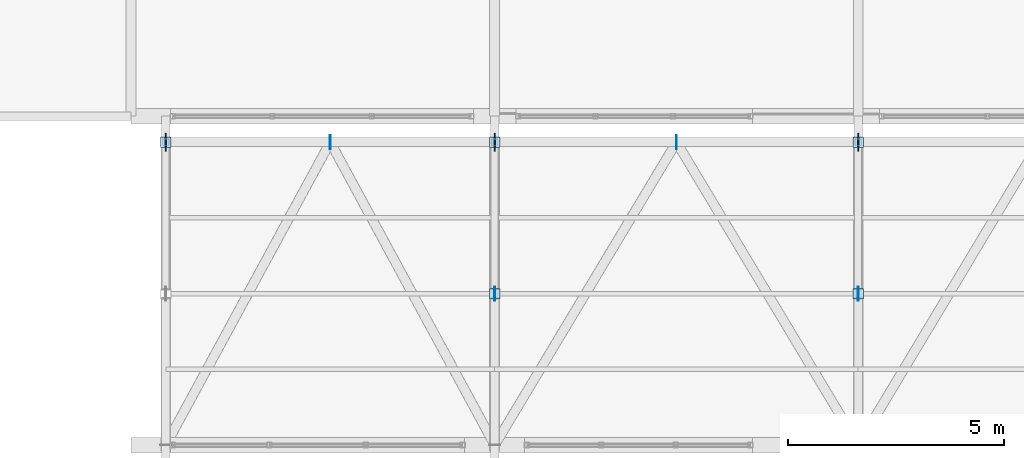
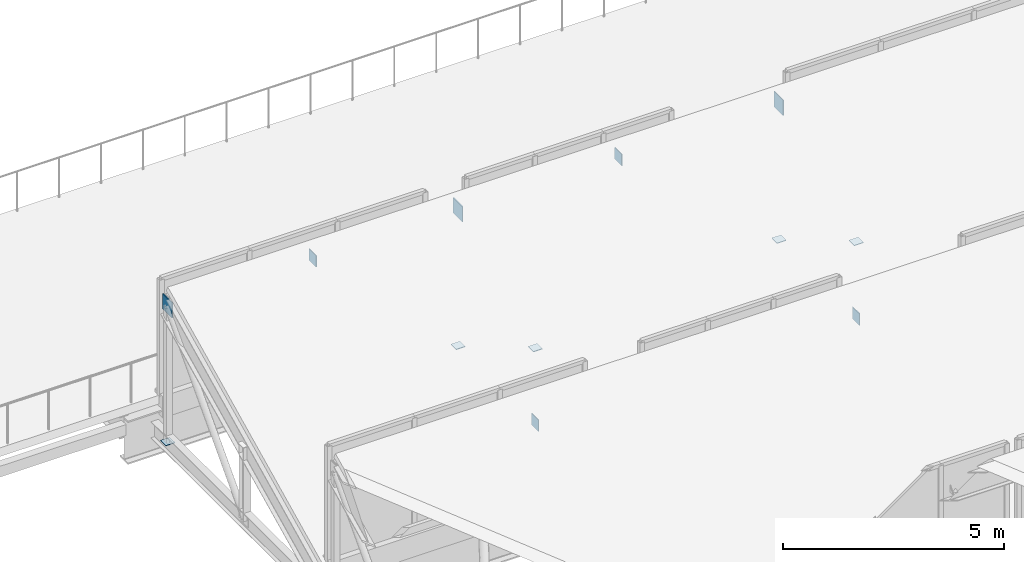
# One storey, part 44 of 57: 12 plates.
"""IFC4 building model written with IfcOpenShell, lengths in metres."""

from ifc_helpers import new_model, si_unit, direction, frame, origin, origin_2d, place, context, subcontext, project, spatial, rectangle, extrude, material, layer, layer_set, type_object, element, save


model = new_model("IFC4")

# Units and contexts
model_context = context("Model", 3, precision=1e-05, world=origin(), true_north=direction((0.0, 1.0)))
body_context = subcontext(model_context, "Body", "Model", "MODEL_VIEW")
ifc_project = project(units=[si_unit("LENGTHUNIT", "METRE"), si_unit("AREAUNIT", "SQUARE_METRE"), si_unit("VOLUMEUNIT", "CUBIC_METRE"), si_unit("PLANEANGLEUNIT", "RADIAN"), si_unit("MASSUNIT", "GRAM", prefix="KILO")], contexts=[model_context])

# Site, building, storey
site_placement = place(None, origin())
site = spatial("IfcSite", under=ifc_project, at=site_placement, CompositionType="ELEMENT")
building_placement = place(site_placement, origin())
building = spatial("IfcBuilding", under=site, at=building_placement, Name="Zuvorla Pavilion Media Centre", CompositionType="ELEMENT")
storey_placement = place(building_placement, frame((0.0, 0.0, 18.0)))
storey = spatial("IfcBuildingStorey", under=building, at=storey_placement, Name="L04", CompositionType="ELEMENT", Elevation=18.0)

# Plates
ifc_material = material(Name="Steel S355", Category="steel")
ifc_layer_1 = layer(ifc_material, 0.01611328125)
ifc_layer_set_1 = layer_set([ifc_layer_1], Name="Steel S355")
plate_type_1 = type_object("IfcPlateType", Name="PLT-CAP-16", PredefinedType="USERDEFINED", material=ifc_layer_set_1)
for number, where, z_axis, x_axis, name in (
    (1, (118.0, 43.39990234375, -0.887939453125), (0.0, 0.0, 1.0), (1.0, 0.0, 0.0), "L04 cap plate CP16 484"),
    (2, (125.60009765625, 43.39990234375, -0.887939453125), (0.0, 0.0, 1.0), (1.0, 0.0, 0.0), "L04 cap plate CP16 487"),
    (3, (125.60009765625, 39.89990234375, 1.171875), (0.0, 0.0, 1.0), (1.0, 0.0, 0.0), "L04 cap plate CP16 489"),
    (4, (134.0, 43.39990234375, -0.887939453125), (0.0, 0.0, 1.0), (1.0, 0.0, 0.0), "L04 cap plate CP16 490"),
    (5, (134.0, 39.89990234375, 1.171875), (0.0, 0.0, 1.0), (1.0, 0.0, 0.0), "L04 cap plate CP16 492"),
):
    element("IfcPlate", number, at=place(storey_placement, frame(where, z_axis=z_axis, x_axis=x_axis)), inside=storey, type_object=plate_type_1, Name=name, ObjectType="CAP_PLATE", PredefinedType="USERDEFINED", context=body_context, shape_type="SweptSolid", body=[
        extrude(rectangle(XDim=0.239990234375, YDim=0.239990234375, at=origin_2d()), origin(), (0.0, 0.0, 1.0), 0.01611328125),
    ])
ifc_layer_2 = layer(ifc_material, 0.02001953125)
ifc_layer_set_2 = layer_set([ifc_layer_2], Name="Steel S355")
plate_type_2 = type_object("IfcPlateType", Name="PLT-GUS-20", PredefinedType="USERDEFINED", material=ifc_layer_set_2)
for number, where, z_axis, x_axis, name in (
    (6, (125.60009765625, 39.89990234375, -1.0400390625), (0.0, 0.0, 1.0), (1.0, 0.0, 0.0), "L04 gusset plate GP20 488"),
    (7, (134.0, 39.89990234375, -1.0400390625), (0.0, 0.0, 1.0), (1.0, 0.0, 0.0), "L04 gusset plate GP20 491"),
    (8, (121.800048828125, 43.39990234375, 2.7197265625), (0.0, 0.0, 1.0), (1.0, 0.0, 0.0), "L04 gusset plate GP20 502"),
    (9, (129.800048828125, 43.39990234375, 2.7197265625), (0.0, 0.0, 1.0), (1.0, 0.0, 0.0), "L04 gusset plate GP20 503"),
):
    element("IfcPlate", number, at=place(storey_placement, frame(where, z_axis=z_axis, x_axis=x_axis)), inside=storey, type_object=plate_type_2, Name=name, ObjectType="GUSSET_PLATE", PredefinedType="USERDEFINED", context=body_context, shape_type="SweptSolid", body=[
        extrude(rectangle(XDim=0.02001953125, YDim=0.320068359375, at=origin_2d()), origin(), (0.0, 0.0, 1.0), 0.320068359375),
    ])
ifc_layer_3 = layer(ifc_material, 0.02490234375)
ifc_layer_set_3 = layer_set([ifc_layer_3], Name="Steel S355")
plate_type_3 = type_object("IfcPlateType", Name="PLT-GUS-25", PredefinedType="USERDEFINED", material=ifc_layer_set_3)
for number, where, z_axis, x_axis, name in (
    (10, (118.0, 43.39990234375, 2.672119140625), (0.0, 0.0, 1.0), (1.0, 0.0, 0.0), "L04 gusset plate GP25 139"),
    (11, (125.60009765625, 43.39990234375, 2.672119140625), (0.0, 0.0, 1.0), (1.0, 0.0, 0.0), "L04 gusset plate GP25 141"),
    (12, (134.0, 43.39990234375, 2.672119140625), (0.0, 0.0, 1.0), (1.0, 0.0, 0.0), "L04 gusset plate GP25 143"),
):
    element("IfcPlate", number, at=place(storey_placement, frame(where, z_axis=z_axis, x_axis=x_axis)), inside=storey, type_object=plate_type_3, Name=name, ObjectType="GUSSET_PLATE", PredefinedType="USERDEFINED", context=body_context, shape_type="SweptSolid", body=[
        extrude(rectangle(XDim=0.02490234375, YDim=0.419921875, at=origin_2d()), origin(), (0.0, 0.0, 1.0), 0.419921875),
    ])

save(model, "model.ifc")
